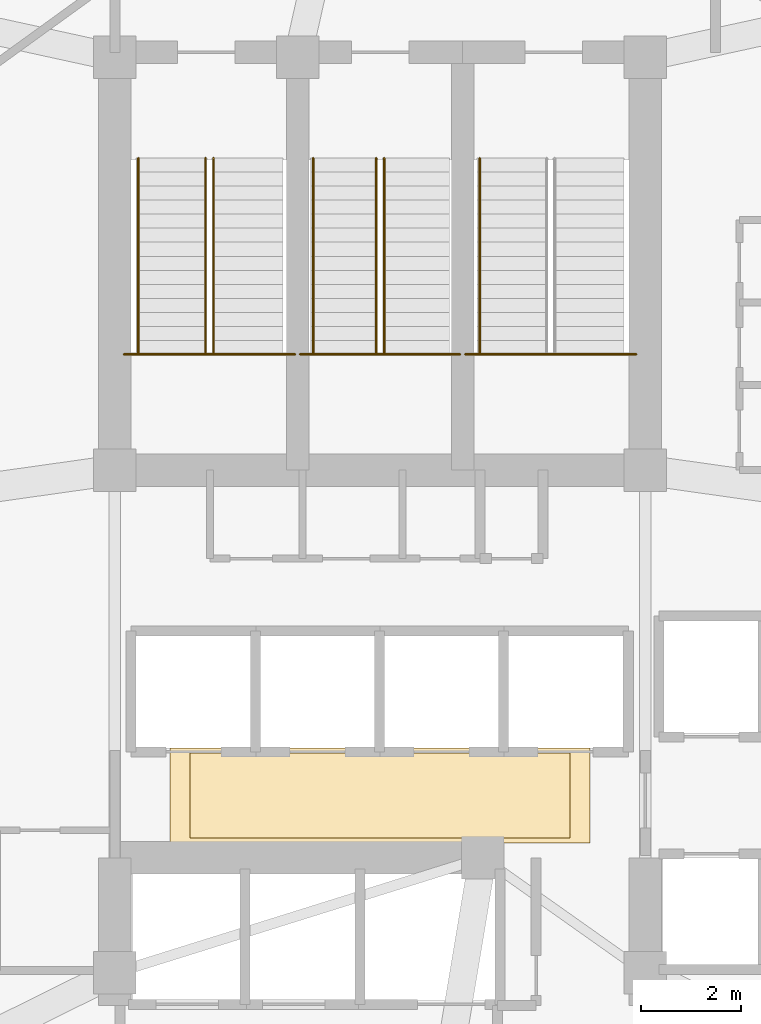
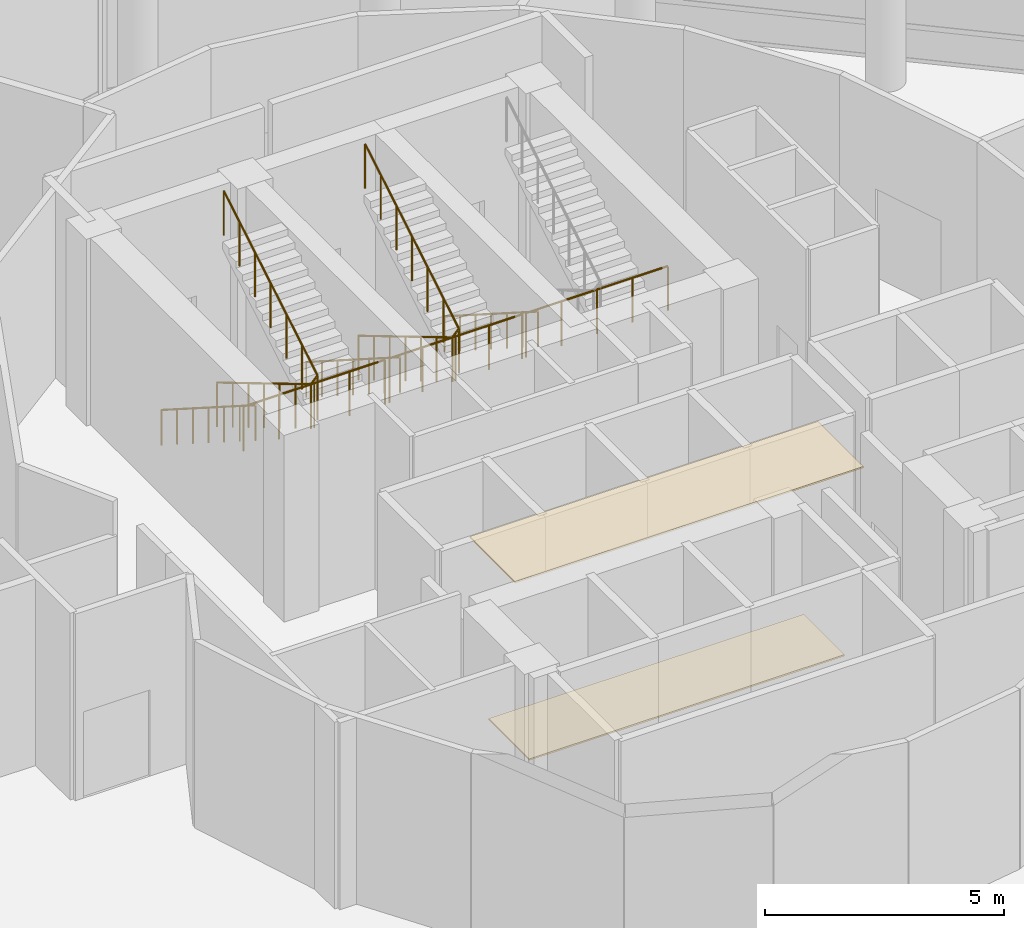
# One storey, part 30 of 31: 8 railings, 2 coverings.
"""IFC4 building model written with IfcOpenShell, lengths in metres."""

from ifc_helpers import new_model, si_unit, direction, frame, origin, place, context, subcontext, project, spatial, polyline, outline, extrude, material, layer, layer_set, type_object, element, save


model = new_model("IFC4")

# Units and contexts
model_context = context("Model", 3, precision=1e-05, world=origin(), true_north=direction((0.0, 1.0)))
body_context = subcontext(model_context, "Body", "Model", "MODEL_VIEW")
ifc_project = project(units=[si_unit("LENGTHUNIT", "METRE"), si_unit("AREAUNIT", "SQUARE_METRE"), si_unit("VOLUMEUNIT", "CUBIC_METRE"), si_unit("PLANEANGLEUNIT", "RADIAN"), si_unit("MASSUNIT", "GRAM", prefix="KILO")], contexts=[model_context])

# Site, building, storey
site_placement = place(None, origin())
site = spatial("IfcSite", under=ifc_project, at=site_placement, CompositionType="ELEMENT")
building_placement = place(site_placement, origin())
building = spatial("IfcBuilding", under=site, at=building_placement, Name="Nuhasar Tower", CompositionType="ELEMENT")
storey_placement = place(building_placement, frame((0.0, 0.0, 203.14990234375)))
storey = spatial("IfcBuildingStorey", under=building, at=storey_placement, Name="L49", CompositionType="ELEMENT", Elevation=203.14990234375)

# Coverings
ifc_material_1 = material(Name="Mineral Fibre Acoustic", Category="insulation")
ifc_layer_1 = layer(ifc_material_1, 0.0400390625)
ifc_layer_set_1 = layer_set([ifc_layer_1], Name="Mineral Fibre Acoustic")
covering_type_1 = type_object("IfcCoveringType", Name="COV-CEIL-AC60", PredefinedType="CEILING", material=ifc_layer_set_1)
covering_1_placement = place(storey_placement, frame((0.0, 0.0, 4.72021484375)))
element("IfcCovering", 1, at=covering_1_placement, inside=storey, type_object=covering_type_1, Name="L49 Lift Lobby Acoustic Ceiling", PredefinedType="CEILING", context=body_context, shape_type="SweptSolid", body=[
    extrude(outline(polyline([(34.800048828125, 21.60009765625), (43.199951171875, 21.60009765625), (43.199951171875, 23.5), (34.800048828125, 23.5), (34.800048828125, 21.60009765625)])), origin(), (0.0, 0.0, 1.0), 0.039794921875),
])
ifc_material_2 = material(Name="Granite Stone Tile", Category="masonry")
ifc_layer_2 = layer(ifc_material_2, 0.0400390625)
ifc_layer_set_2 = layer_set([ifc_layer_2], Name="Granite Stone Tile")
covering_type_2 = type_object("IfcCoveringType", Name="COV-FLR-STN40", PredefinedType="FLOORING", material=ifc_layer_set_2)
covering_2_placement = place(storey_placement, origin())
element("IfcCovering", 2, at=covering_2_placement, inside=storey, type_object=covering_type_2, Name="L49 Granite Lobby Flooring", PredefinedType="FLOORING", context=body_context, shape_type="SweptSolid", body=[
    extrude(outline(polyline([(35.199951171875, 21.699951171875), (42.800048828125, 21.699951171875), (42.800048828125, 23.39990234375), (35.199951171875, 23.39990234375), (35.199951171875, 21.699951171875)])), origin(), (0.0, 0.0, 1.0), 0.0400390625),
])

# Railings
ifc_material_3 = material(Name="Steel S355", Category="steel")
railing_type_1 = type_object("IfcRailingType", Name="RLG-STAIR-GUARD-1150", PredefinedType="GUARDRAIL", material=ifc_material_3)
railing_1_placement = place(storey_placement, frame((33.8798828125, 31.364990234375, 2.5)))
element("IfcRailing", 3, at=railing_1_placement, inside=storey, type_object=railing_type_1, Name="L49 Stair ST-01 Guardrail LND", PredefinedType="GUARDRAIL", context=body_context, shape_type="SweptSolid", body=[
    extrude(outline(polyline([(0.024169921875, 0.0), (0.01708984375, 0.01708984375), (0.0, 0.024169921875), (-0.01708984375, 0.01708984375), (-0.024169921875, 0.0), (-0.01708984375, -0.01708984375), (0.0, -0.024169921875), (0.01708984375, -0.01708984375), (0.024169921875, 0.0)])), frame((0.0, 0.0, 1.1259765625), z_axis=(1.0, 0.0, 0.0), x_axis=(0.0, 1.0, 0.0)), (0.0, 0.0, 1.0), 3.420166015625),
    extrude(outline(polyline([(0.02099609375, 0.0), (0.014892578125, 0.014892578125), (0.0, 0.02099609375), (-0.014892578125, 0.014892578125), (-0.02099609375, 0.0), (-0.014892578125, -0.014892578125), (0.0, -0.02099609375), (0.014892578125, -0.014892578125), (0.02099609375, 0.0)])), origin(), (0.0, 0.0, 1.0), 1.101806640625),
    extrude(outline(polyline([(0.02099609375, 0.0), (0.014892578125, 0.014892578125), (0.0, 0.02099609375), (-0.014892578125, 0.014892578125), (-0.02099609375, 0.0), (-0.014892578125, -0.014892578125), (0.0, -0.02099609375), (0.014892578125, -0.014892578125), (0.02099609375, 0.0)])), frame((0.85498046875, 0.0, 0.0)), (0.0, 0.0, 1.0), 1.101806640625),
    extrude(outline(polyline([(0.02099609375, 0.0), (0.014892578125, 0.014892578125), (0.0, 0.02099609375), (-0.014892578125, 0.014892578125), (-0.02099609375, 0.0), (-0.014892578125, -0.014892578125), (0.0, -0.02099609375), (0.014892578125, -0.014892578125), (0.02099609375, 0.0)])), frame((1.7099609375, 0.0, 0.0)), (0.0, 0.0, 1.0), 1.101806640625),
    extrude(outline(polyline([(0.02099609375, 0.0), (0.014892578125, 0.014892578125), (0.0, 0.02099609375), (-0.014892578125, 0.014892578125), (-0.02099609375, 0.0), (-0.014892578125, -0.014892578125), (0.0, -0.02099609375), (0.014892578125, -0.014892578125), (0.02099609375, 0.0)])), frame((2.565185546875, 0.0, 0.0)), (0.0, 0.0, 1.0), 1.101806640625),
    extrude(outline(polyline([(0.02099609375, 0.0), (0.014892578125, 0.014892578125), (0.0, 0.02099609375), (-0.014892578125, 0.014892578125), (-0.02099609375, 0.0), (-0.014892578125, -0.014892578125), (0.0, -0.02099609375), (0.014892578125, -0.014892578125), (0.02099609375, 0.0)])), frame((3.420166015625, 0.0, 0.0)), (0.0, 0.0, 1.0), 1.101806640625),
])
railing_2_placement = place(storey_placement, frame((35.510009765625, 35.284912109375, 0.1669921875)))
element("IfcRailing", 4, at=railing_2_placement, inside=storey, type_object=railing_type_1, Name="L49 Stair ST-01 Guardrail SLT", PredefinedType="GUARDRAIL", context=body_context, shape_type="SweptSolid", body=[
    extrude(outline(polyline([(0.024169921875, 0.0), (0.01708984375, 0.01708984375), (0.0, 0.024169921875), (-0.01708984375, 0.01708984375), (-0.024169921875, 0.0), (-0.01708984375, -0.01708984375), (0.0, -0.024169921875), (0.01708984375, -0.01708984375), (0.024169921875, 0.0)])), frame((0.0, 0.0, 1.1259765625), z_axis=(0.0, -0.85931976652, 0.511438695121), x_axis=(1.0, 0.0, 0.0)), (0.0, 0.0, 1.0), 4.561767578125),
    extrude(outline(polyline([(0.024169921875, 0.0), (0.01708984375, 0.01708984375), (0.0, 0.024169921875), (-0.01708984375, 0.01708984375), (-0.024169921875, 0.0), (-0.01708984375, -0.01708984375), (0.0, -0.024169921875), (0.01708984375, -0.01708984375), (0.024169921875, 0.0)])), frame((0.0, -3.919921875, 3.458984375), z_axis=(0.691630103864, 0.0, 0.722251894722), x_axis=(0.0, 1.0, 0.0)), (0.0, 0.0, 1.0), 0.231201171875),
    extrude(outline(polyline([(0.024169921875, 0.0), (0.01708984375, 0.01708984375), (0.0, 0.024169921875), (-0.01708984375, 0.01708984375), (-0.024169921875, 0.0), (-0.01708984375, -0.01708984375), (0.0, -0.024169921875), (0.01708984375, -0.01708984375), (0.024169921875, 0.0)])), frame((0.159912109375, -3.919921875, 3.6259765625), z_axis=(0.0, 0.85931976652, 0.511438695121), x_axis=(-1.0, 0.0, 0.0)), (0.0, 0.0, 1.0), 4.561767578125),
    extrude(outline(polyline([(0.02099609375, 0.0), (0.014892578125, 0.014892578125), (0.0, 0.02099609375), (-0.014892578125, 0.014892578125), (-0.02099609375, 0.0), (-0.014892578125, -0.014892578125), (0.0, -0.02099609375), (0.014892578125, -0.014892578125), (0.02099609375, 0.0)])), origin(), (0.0, 0.0, 1.0), 1.101806640625),
    extrude(outline(polyline([(0.02099609375, 0.0), (0.014892578125, 0.014892578125), (0.0, 0.02099609375), (-0.014892578125, 0.014892578125), (-0.02099609375, 0.0), (-0.014892578125, -0.014892578125), (0.0, -0.02099609375), (0.014892578125, -0.014892578125), (0.02099609375, 0.0)])), frame((0.0, -0.6533203125, 0.388916015625)), (0.0, 0.0, 1.0), 1.101806640625),
    extrude(outline(polyline([(0.02099609375, 0.0), (0.014892578125, 0.014892578125), (0.0, 0.02099609375), (-0.014892578125, 0.014892578125), (-0.02099609375, 0.0), (-0.014892578125, -0.014892578125), (0.0, -0.02099609375), (0.014892578125, -0.014892578125), (0.02099609375, 0.0)])), frame((0.0, -1.306640625, 0.777587890625)), (0.0, 0.0, 1.0), 1.101806640625),
    extrude(outline(polyline([(0.02099609375, 0.0), (0.014892578125, 0.014892578125), (0.0, 0.02099609375), (-0.014892578125, 0.014892578125), (-0.02099609375, 0.0), (-0.014892578125, -0.014892578125), (0.0, -0.02099609375), (0.014892578125, -0.014892578125), (0.02099609375, 0.0)])), frame((0.0, -1.9599609375, 1.16650390625)), (0.0, 0.0, 1.0), 1.101806640625),
    extrude(outline(polyline([(0.02099609375, 0.0), (0.014892578125, 0.014892578125), (0.0, 0.02099609375), (-0.014892578125, 0.014892578125), (-0.02099609375, 0.0), (-0.014892578125, -0.014892578125), (0.0, -0.02099609375), (0.014892578125, -0.014892578125), (0.02099609375, 0.0)])), frame((0.0, -2.61328125, 1.555419921875)), (0.0, 0.0, 1.0), 1.101806640625),
    extrude(outline(polyline([(0.02099609375, 0.0), (0.014892578125, 0.014892578125), (0.0, 0.02099609375), (-0.014892578125, 0.014892578125), (-0.02099609375, 0.0), (-0.014892578125, -0.014892578125), (0.0, -0.02099609375), (0.014892578125, -0.014892578125), (0.02099609375, 0.0)])), frame((0.0, -3.2666015625, 1.944091796875)), (0.0, 0.0, 1.0), 1.101806640625),
    extrude(outline(polyline([(0.02099609375, 0.0), (0.014892578125, 0.014892578125), (0.0, 0.02099609375), (-0.014892578125, 0.014892578125), (-0.02099609375, 0.0), (-0.014892578125, -0.014892578125), (0.0, -0.02099609375), (0.014892578125, -0.014892578125), (0.02099609375, 0.0)])), frame((0.0, -3.919921875, 2.3330078125)), (0.0, 0.0, 1.0), 1.101806640625),
    extrude(outline(polyline([(0.02099609375, 0.0), (0.014892578125, 0.014892578125), (0.0, 0.02099609375), (-0.014892578125, 0.014892578125), (-0.02099609375, 0.0), (-0.014892578125, -0.014892578125), (0.0, -0.02099609375), (0.014892578125, -0.014892578125), (0.02099609375, 0.0)])), frame((0.159912109375, -3.919921875, 2.5)), (0.0, 0.0, 1.0), 1.101806640625),
    extrude(outline(polyline([(0.02099609375, 0.0), (0.014892578125, 0.014892578125), (0.0, 0.02099609375), (-0.014892578125, 0.014892578125), (-0.02099609375, 0.0), (-0.014892578125, -0.014892578125), (0.0, -0.02099609375), (0.014892578125, -0.014892578125), (0.02099609375, 0.0)])), frame((0.159912109375, -3.2666015625, 2.888916015625)), (0.0, 0.0, 1.0), 1.101806640625),
    extrude(outline(polyline([(0.02099609375, 0.0), (0.014892578125, 0.014892578125), (0.0, 0.02099609375), (-0.014892578125, 0.014892578125), (-0.02099609375, 0.0), (-0.014892578125, -0.014892578125), (0.0, -0.02099609375), (0.014892578125, -0.014892578125), (0.02099609375, 0.0)])), frame((0.159912109375, -2.61328125, 3.277587890625)), (0.0, 0.0, 1.0), 1.101806640625),
    extrude(outline(polyline([(0.02099609375, 0.0), (0.014892578125, 0.014892578125), (0.0, 0.02099609375), (-0.014892578125, 0.014892578125), (-0.02099609375, 0.0), (-0.014892578125, -0.014892578125), (0.0, -0.02099609375), (0.014892578125, -0.014892578125), (0.02099609375, 0.0)])), frame((0.159912109375, -1.9599609375, 3.66650390625)), (0.0, 0.0, 1.0), 1.101806640625),
    extrude(outline(polyline([(0.02099609375, 0.0), (0.014892578125, 0.014892578125), (0.0, 0.02099609375), (-0.014892578125, 0.014892578125), (-0.02099609375, 0.0), (-0.014892578125, -0.014892578125), (0.0, -0.02099609375), (0.014892578125, -0.014892578125), (0.02099609375, 0.0)])), frame((0.159912109375, -1.306640625, 4.055419921875)), (0.0, 0.0, 1.0), 1.101806640625),
    extrude(outline(polyline([(0.02099609375, 0.0), (0.014892578125, 0.014892578125), (0.0, 0.02099609375), (-0.014892578125, 0.014892578125), (-0.02099609375, 0.0), (-0.014892578125, -0.014892578125), (0.0, -0.02099609375), (0.014892578125, -0.014892578125), (0.02099609375, 0.0)])), frame((0.159912109375, -0.6533203125, 4.444091796875)), (0.0, 0.0, 1.0), 1.101806640625),
    extrude(outline(polyline([(0.02099609375, 0.0), (0.014892578125, 0.014892578125), (0.0, 0.02099609375), (-0.014892578125, 0.014892578125), (-0.02099609375, 0.0), (-0.014892578125, -0.014892578125), (0.0, -0.02099609375), (0.014892578125, -0.014892578125), (0.02099609375, 0.0)])), frame((0.159912109375, 0.0, 4.8330078125)), (0.0, 0.0, 1.0), 1.101806640625),
])
railing_3_placement = place(storey_placement, frame((37.39990234375, 31.364990234375, 2.5)))
element("IfcRailing", 5, at=railing_3_placement, inside=storey, type_object=railing_type_1, Name="L49 Stair ST-03 Guardrail LND", PredefinedType="GUARDRAIL", context=body_context, shape_type="SweptSolid", body=[
    extrude(outline(polyline([(0.024169921875, 0.0), (0.01708984375, 0.01708984375), (0.0, 0.024169921875), (-0.01708984375, 0.01708984375), (-0.024169921875, 0.0), (-0.01708984375, -0.01708984375), (0.0, -0.024169921875), (0.01708984375, -0.01708984375), (0.024169921875, 0.0)])), frame((0.0, 0.0, 1.1259765625), z_axis=(1.0, 0.0, 0.0), x_axis=(0.0, 1.0, 0.0)), (0.0, 0.0, 1.0), 3.2001953125),
    extrude(outline(polyline([(0.02099609375, 0.0), (0.014892578125, 0.014892578125), (0.0, 0.02099609375), (-0.014892578125, 0.014892578125), (-0.02099609375, 0.0), (-0.014892578125, -0.014892578125), (0.0, -0.02099609375), (0.014892578125, -0.014892578125), (0.02099609375, 0.0)])), origin(), (0.0, 0.0, 1.0), 1.101806640625),
    extrude(outline(polyline([(0.02099609375, 0.0), (0.014892578125, 0.014892578125), (0.0, 0.02099609375), (-0.014892578125, 0.014892578125), (-0.02099609375, 0.0), (-0.014892578125, -0.014892578125), (0.0, -0.02099609375), (0.014892578125, -0.014892578125), (0.02099609375, 0.0)])), frame((0.800048828125, 0.0, 0.0)), (0.0, 0.0, 1.0), 1.101806640625),
    extrude(outline(polyline([(0.02099609375, 0.0), (0.014892578125, 0.014892578125), (0.0, 0.02099609375), (-0.014892578125, 0.014892578125), (-0.02099609375, 0.0), (-0.014892578125, -0.014892578125), (0.0, -0.02099609375), (0.014892578125, -0.014892578125), (0.02099609375, 0.0)])), frame((1.60009765625, 0.0, 0.0)), (0.0, 0.0, 1.0), 1.101806640625),
    extrude(outline(polyline([(0.02099609375, 0.0), (0.014892578125, 0.014892578125), (0.0, 0.02099609375), (-0.014892578125, 0.014892578125), (-0.02099609375, 0.0), (-0.014892578125, -0.014892578125), (0.0, -0.02099609375), (0.014892578125, -0.014892578125), (0.02099609375, 0.0)])), frame((2.400146484375, 0.0, 0.0)), (0.0, 0.0, 1.0), 1.101806640625),
    extrude(outline(polyline([(0.02099609375, 0.0), (0.014892578125, 0.014892578125), (0.0, 0.02099609375), (-0.014892578125, 0.014892578125), (-0.02099609375, 0.0), (-0.014892578125, -0.014892578125), (0.0, -0.02099609375), (0.014892578125, -0.014892578125), (0.02099609375, 0.0)])), frame((3.2001953125, 0.0, 0.0)), (0.0, 0.0, 1.0), 1.101806640625),
])
railing_4_placement = place(storey_placement, frame((38.919921875, 35.284912109375, 0.1669921875)))
element("IfcRailing", 6, at=railing_4_placement, inside=storey, type_object=railing_type_1, Name="L49 Stair ST-03 Guardrail SLT", PredefinedType="GUARDRAIL", context=body_context, shape_type="SweptSolid", body=[
    extrude(outline(polyline([(0.024169921875, 0.0), (0.01708984375, 0.01708984375), (0.0, 0.024169921875), (-0.01708984375, 0.01708984375), (-0.024169921875, 0.0), (-0.01708984375, -0.01708984375), (0.0, -0.024169921875), (0.01708984375, -0.01708984375), (0.024169921875, 0.0)])), frame((0.0, 0.0, 1.1259765625), z_axis=(0.0, -0.85931976652, 0.511438695121), x_axis=(1.0, 0.0, 0.0)), (0.0, 0.0, 1.0), 4.561767578125),
    extrude(outline(polyline([(0.024169921875, 0.0), (0.01708984375, 0.01708984375), (0.0, 0.024169921875), (-0.01708984375, 0.01708984375), (-0.024169921875, 0.0), (-0.01708984375, -0.01708984375), (0.0, -0.024169921875), (0.01708984375, -0.01708984375), (0.024169921875, 0.0)])), frame((0.0, -3.919921875, 3.458984375), z_axis=(0.692180321226, 0.0, 0.72172460323), x_axis=(0.0, 1.0, 0.0)), (0.0, 0.0, 1.0), 0.2314453125),
    extrude(outline(polyline([(0.024169921875, 0.0), (0.01708984375, 0.01708984375), (0.0, 0.024169921875), (-0.01708984375, 0.01708984375), (-0.024169921875, 0.0), (-0.01708984375, -0.01708984375), (0.0, -0.024169921875), (0.01708984375, -0.01708984375), (0.024169921875, 0.0)])), frame((0.16015625, -3.919921875, 3.6259765625), z_axis=(0.0, 0.85931976652, 0.511438695121), x_axis=(-1.0, 0.0, 0.0)), (0.0, 0.0, 1.0), 4.561767578125),
    extrude(outline(polyline([(0.02099609375, 0.0), (0.014892578125, 0.014892578125), (0.0, 0.02099609375), (-0.014892578125, 0.014892578125), (-0.02099609375, 0.0), (-0.014892578125, -0.014892578125), (0.0, -0.02099609375), (0.014892578125, -0.014892578125), (0.02099609375, 0.0)])), origin(), (0.0, 0.0, 1.0), 1.101806640625),
    extrude(outline(polyline([(0.02099609375, 0.0), (0.014892578125, 0.014892578125), (0.0, 0.02099609375), (-0.014892578125, 0.014892578125), (-0.02099609375, 0.0), (-0.014892578125, -0.014892578125), (0.0, -0.02099609375), (0.014892578125, -0.014892578125), (0.02099609375, 0.0)])), frame((0.0, -0.6533203125, 0.388916015625)), (0.0, 0.0, 1.0), 1.101806640625),
    extrude(outline(polyline([(0.02099609375, 0.0), (0.014892578125, 0.014892578125), (0.0, 0.02099609375), (-0.014892578125, 0.014892578125), (-0.02099609375, 0.0), (-0.014892578125, -0.014892578125), (0.0, -0.02099609375), (0.014892578125, -0.014892578125), (0.02099609375, 0.0)])), frame((0.0, -1.306640625, 0.777587890625)), (0.0, 0.0, 1.0), 1.101806640625),
    extrude(outline(polyline([(0.02099609375, 0.0), (0.014892578125, 0.014892578125), (0.0, 0.02099609375), (-0.014892578125, 0.014892578125), (-0.02099609375, 0.0), (-0.014892578125, -0.014892578125), (0.0, -0.02099609375), (0.014892578125, -0.014892578125), (0.02099609375, 0.0)])), frame((0.0, -1.9599609375, 1.16650390625)), (0.0, 0.0, 1.0), 1.101806640625),
    extrude(outline(polyline([(0.02099609375, 0.0), (0.014892578125, 0.014892578125), (0.0, 0.02099609375), (-0.014892578125, 0.014892578125), (-0.02099609375, 0.0), (-0.014892578125, -0.014892578125), (0.0, -0.02099609375), (0.014892578125, -0.014892578125), (0.02099609375, 0.0)])), frame((0.0, -2.61328125, 1.555419921875)), (0.0, 0.0, 1.0), 1.101806640625),
    extrude(outline(polyline([(0.02099609375, 0.0), (0.014892578125, 0.014892578125), (0.0, 0.02099609375), (-0.014892578125, 0.014892578125), (-0.02099609375, 0.0), (-0.014892578125, -0.014892578125), (0.0, -0.02099609375), (0.014892578125, -0.014892578125), (0.02099609375, 0.0)])), frame((0.0, -3.2666015625, 1.944091796875)), (0.0, 0.0, 1.0), 1.101806640625),
    extrude(outline(polyline([(0.02099609375, 0.0), (0.014892578125, 0.014892578125), (0.0, 0.02099609375), (-0.014892578125, 0.014892578125), (-0.02099609375, 0.0), (-0.014892578125, -0.014892578125), (0.0, -0.02099609375), (0.014892578125, -0.014892578125), (0.02099609375, 0.0)])), frame((0.0, -3.919921875, 2.3330078125)), (0.0, 0.0, 1.0), 1.101806640625),
    extrude(outline(polyline([(0.02099609375, 0.0), (0.014892578125, 0.014892578125), (0.0, 0.02099609375), (-0.014892578125, 0.014892578125), (-0.02099609375, 0.0), (-0.014892578125, -0.014892578125), (0.0, -0.02099609375), (0.014892578125, -0.014892578125), (0.02099609375, 0.0)])), frame((0.16015625, -3.919921875, 2.5)), (0.0, 0.0, 1.0), 1.101806640625),
    extrude(outline(polyline([(0.02099609375, 0.0), (0.014892578125, 0.014892578125), (0.0, 0.02099609375), (-0.014892578125, 0.014892578125), (-0.02099609375, 0.0), (-0.014892578125, -0.014892578125), (0.0, -0.02099609375), (0.014892578125, -0.014892578125), (0.02099609375, 0.0)])), frame((0.16015625, -3.2666015625, 2.888916015625)), (0.0, 0.0, 1.0), 1.101806640625),
    extrude(outline(polyline([(0.02099609375, 0.0), (0.014892578125, 0.014892578125), (0.0, 0.02099609375), (-0.014892578125, 0.014892578125), (-0.02099609375, 0.0), (-0.014892578125, -0.014892578125), (0.0, -0.02099609375), (0.014892578125, -0.014892578125), (0.02099609375, 0.0)])), frame((0.16015625, -2.61328125, 3.277587890625)), (0.0, 0.0, 1.0), 1.101806640625),
    extrude(outline(polyline([(0.02099609375, 0.0), (0.014892578125, 0.014892578125), (0.0, 0.02099609375), (-0.014892578125, 0.014892578125), (-0.02099609375, 0.0), (-0.014892578125, -0.014892578125), (0.0, -0.02099609375), (0.014892578125, -0.014892578125), (0.02099609375, 0.0)])), frame((0.16015625, -1.9599609375, 3.66650390625)), (0.0, 0.0, 1.0), 1.101806640625),
    extrude(outline(polyline([(0.02099609375, 0.0), (0.014892578125, 0.014892578125), (0.0, 0.02099609375), (-0.014892578125, 0.014892578125), (-0.02099609375, 0.0), (-0.014892578125, -0.014892578125), (0.0, -0.02099609375), (0.014892578125, -0.014892578125), (0.02099609375, 0.0)])), frame((0.16015625, -1.306640625, 4.055419921875)), (0.0, 0.0, 1.0), 1.101806640625),
    extrude(outline(polyline([(0.02099609375, 0.0), (0.014892578125, 0.014892578125), (0.0, 0.02099609375), (-0.014892578125, 0.014892578125), (-0.02099609375, 0.0), (-0.014892578125, -0.014892578125), (0.0, -0.02099609375), (0.014892578125, -0.014892578125), (0.02099609375, 0.0)])), frame((0.16015625, -0.6533203125, 4.444091796875)), (0.0, 0.0, 1.0), 1.101806640625),
    extrude(outline(polyline([(0.02099609375, 0.0), (0.014892578125, 0.014892578125), (0.0, 0.02099609375), (-0.014892578125, 0.014892578125), (-0.02099609375, 0.0), (-0.014892578125, -0.014892578125), (0.0, -0.02099609375), (0.014892578125, -0.014892578125), (0.02099609375, 0.0)])), frame((0.16015625, 0.0, 4.8330078125)), (0.0, 0.0, 1.0), 1.101806640625),
])
railing_5_placement = place(storey_placement, frame((40.699951171875, 31.364990234375, 2.5)))
element("IfcRailing", 7, at=railing_5_placement, inside=storey, type_object=railing_type_1, Name="L49 Stair ST-02 Guardrail LND", PredefinedType="GUARDRAIL", context=body_context, shape_type="SweptSolid", body=[
    extrude(outline(polyline([(0.024169921875, 0.0), (0.01708984375, 0.01708984375), (0.0, 0.024169921875), (-0.01708984375, 0.01708984375), (-0.024169921875, 0.0), (-0.01708984375, -0.01708984375), (0.0, -0.024169921875), (0.01708984375, -0.01708984375), (0.024169921875, 0.0)])), frame((0.0, 0.0, 1.1259765625), z_axis=(1.0, 0.0, 0.0), x_axis=(0.0, 1.0, 0.0)), (0.0, 0.0, 1.0), 3.420166015625),
    extrude(outline(polyline([(0.02099609375, 0.0), (0.014892578125, 0.014892578125), (0.0, 0.02099609375), (-0.014892578125, 0.014892578125), (-0.02099609375, 0.0), (-0.014892578125, -0.014892578125), (0.0, -0.02099609375), (0.014892578125, -0.014892578125), (0.02099609375, 0.0)])), origin(), (0.0, 0.0, 1.0), 1.101806640625),
    extrude(outline(polyline([(0.02099609375, 0.0), (0.014892578125, 0.014892578125), (0.0, 0.02099609375), (-0.014892578125, 0.014892578125), (-0.02099609375, 0.0), (-0.014892578125, -0.014892578125), (0.0, -0.02099609375), (0.014892578125, -0.014892578125), (0.02099609375, 0.0)])), frame((0.85498046875, 0.0, 0.0)), (0.0, 0.0, 1.0), 1.101806640625),
    extrude(outline(polyline([(0.02099609375, 0.0), (0.014892578125, 0.014892578125), (0.0, 0.02099609375), (-0.014892578125, 0.014892578125), (-0.02099609375, 0.0), (-0.014892578125, -0.014892578125), (0.0, -0.02099609375), (0.014892578125, -0.014892578125), (0.02099609375, 0.0)])), frame((1.7099609375, 0.0, 0.0)), (0.0, 0.0, 1.0), 1.101806640625),
    extrude(outline(polyline([(0.02099609375, 0.0), (0.014892578125, 0.014892578125), (0.0, 0.02099609375), (-0.014892578125, 0.014892578125), (-0.02099609375, 0.0), (-0.014892578125, -0.014892578125), (0.0, -0.02099609375), (0.014892578125, -0.014892578125), (0.02099609375, 0.0)])), frame((2.565185546875, 0.0, 0.0)), (0.0, 0.0, 1.0), 1.101806640625),
    extrude(outline(polyline([(0.02099609375, 0.0), (0.014892578125, 0.014892578125), (0.0, 0.02099609375), (-0.014892578125, 0.014892578125), (-0.02099609375, 0.0), (-0.014892578125, -0.014892578125), (0.0, -0.02099609375), (0.014892578125, -0.014892578125), (0.02099609375, 0.0)])), frame((3.420166015625, 0.0, 0.0)), (0.0, 0.0, 1.0), 1.101806640625),
])
ifc_material_4 = material(Name="Stainless Steel 316L", Category="steel")
railing_type_2 = type_object("IfcRailingType", Name="RLG-STAIR-HAND-920", PredefinedType="HANDRAIL", material=ifc_material_4)
railing_6_placement = place(storey_placement, frame((34.169921875, 35.284912109375, 0.1669921875)))
element("IfcRailing", 8, at=railing_6_placement, inside=storey, type_object=railing_type_2, Name="L49 Stair ST-01 Handrail HND1", PredefinedType="HANDRAIL", context=body_context, shape_type="SweptSolid", body=[
    extrude(outline(polyline([(0.024169921875, 0.0), (0.01708984375, 0.01708984375), (0.0, 0.024169921875), (-0.01708984375, 0.01708984375), (-0.024169921875, 0.0), (-0.01708984375, -0.01708984375), (0.0, -0.024169921875), (0.01708984375, -0.01708984375), (0.024169921875, 0.0)])), frame((0.0, 0.0, 0.89599609375), z_axis=(0.0, -0.843124831705, 0.537717879712), x_axis=(1.0, 0.0, 0.0)), (0.0, 0.0, 1.0), 4.649169921875),
    extrude(outline(polyline([(0.02099609375, 0.0), (0.014892578125, 0.014892578125), (0.0, 0.02099609375), (-0.014892578125, 0.014892578125), (-0.02099609375, 0.0), (-0.014892578125, -0.014892578125), (0.0, -0.02099609375), (0.014892578125, -0.014892578125), (0.02099609375, 0.0)])), origin(), (0.0, 0.0, 1.0), 0.871826171875),
    extrude(outline(polyline([(0.02099609375, 0.0), (0.014892578125, 0.014892578125), (0.0, 0.02099609375), (-0.014892578125, 0.014892578125), (-0.02099609375, 0.0), (-0.014892578125, -0.014892578125), (0.0, -0.02099609375), (0.014892578125, -0.014892578125), (0.02099609375, 0.0)])), frame((0.0, -0.6533203125, 0.416748046875)), (0.0, 0.0, 1.0), 0.871826171875),
    extrude(outline(polyline([(0.02099609375, 0.0), (0.014892578125, 0.014892578125), (0.0, 0.02099609375), (-0.014892578125, 0.014892578125), (-0.02099609375, 0.0), (-0.014892578125, -0.014892578125), (0.0, -0.02099609375), (0.014892578125, -0.014892578125), (0.02099609375, 0.0)])), frame((0.0, -1.306640625, 0.833251953125)), (0.0, 0.0, 1.0), 0.871826171875),
    extrude(outline(polyline([(0.02099609375, 0.0), (0.014892578125, 0.014892578125), (0.0, 0.02099609375), (-0.014892578125, 0.014892578125), (-0.02099609375, 0.0), (-0.014892578125, -0.014892578125), (0.0, -0.02099609375), (0.014892578125, -0.014892578125), (0.02099609375, 0.0)])), frame((0.0, -1.9599609375, 1.25)), (0.0, 0.0, 1.0), 0.871826171875),
    extrude(outline(polyline([(0.02099609375, 0.0), (0.014892578125, 0.014892578125), (0.0, 0.02099609375), (-0.014892578125, 0.014892578125), (-0.02099609375, 0.0), (-0.014892578125, -0.014892578125), (0.0, -0.02099609375), (0.014892578125, -0.014892578125), (0.02099609375, 0.0)])), frame((0.0, -2.61328125, 1.666748046875)), (0.0, 0.0, 1.0), 0.871826171875),
    extrude(outline(polyline([(0.02099609375, 0.0), (0.014892578125, 0.014892578125), (0.0, 0.02099609375), (-0.014892578125, 0.014892578125), (-0.02099609375, 0.0), (-0.014892578125, -0.014892578125), (0.0, -0.02099609375), (0.014892578125, -0.014892578125), (0.02099609375, 0.0)])), frame((0.0, -3.2666015625, 2.083251953125)), (0.0, 0.0, 1.0), 0.871826171875),
    extrude(outline(polyline([(0.02099609375, 0.0), (0.014892578125, 0.014892578125), (0.0, 0.02099609375), (-0.014892578125, 0.014892578125), (-0.02099609375, 0.0), (-0.014892578125, -0.014892578125), (0.0, -0.02099609375), (0.014892578125, -0.014892578125), (0.02099609375, 0.0)])), frame((0.0, -3.919921875, 2.5)), (0.0, 0.0, 1.0), 0.871826171875),
])
railing_7_placement = place(storey_placement, frame((37.659912109375, 35.284912109375, 0.1669921875)))
element("IfcRailing", 9, at=railing_7_placement, inside=storey, type_object=railing_type_2, Name="L49 Stair ST-03 Handrail HND1", PredefinedType="HANDRAIL", context=body_context, shape_type="SweptSolid", body=[
    extrude(outline(polyline([(0.024169921875, 0.0), (0.01708984375, 0.01708984375), (0.0, 0.024169921875), (-0.01708984375, 0.01708984375), (-0.024169921875, 0.0), (-0.01708984375, -0.01708984375), (0.0, -0.024169921875), (0.01708984375, -0.01708984375), (0.024169921875, 0.0)])), frame((0.0, 0.0, 0.89599609375), z_axis=(0.0, -0.843124831705, 0.537717879712), x_axis=(1.0, 0.0, 0.0)), (0.0, 0.0, 1.0), 4.649169921875),
    extrude(outline(polyline([(0.02099609375, 0.0), (0.014892578125, 0.014892578125), (0.0, 0.02099609375), (-0.014892578125, 0.014892578125), (-0.02099609375, 0.0), (-0.014892578125, -0.014892578125), (0.0, -0.02099609375), (0.014892578125, -0.014892578125), (0.02099609375, 0.0)])), origin(), (0.0, 0.0, 1.0), 0.871826171875),
    extrude(outline(polyline([(0.02099609375, 0.0), (0.014892578125, 0.014892578125), (0.0, 0.02099609375), (-0.014892578125, 0.014892578125), (-0.02099609375, 0.0), (-0.014892578125, -0.014892578125), (0.0, -0.02099609375), (0.014892578125, -0.014892578125), (0.02099609375, 0.0)])), frame((0.0, -0.6533203125, 0.416748046875)), (0.0, 0.0, 1.0), 0.871826171875),
    extrude(outline(polyline([(0.02099609375, 0.0), (0.014892578125, 0.014892578125), (0.0, 0.02099609375), (-0.014892578125, 0.014892578125), (-0.02099609375, 0.0), (-0.014892578125, -0.014892578125), (0.0, -0.02099609375), (0.014892578125, -0.014892578125), (0.02099609375, 0.0)])), frame((0.0, -1.306640625, 0.833251953125)), (0.0, 0.0, 1.0), 0.871826171875),
    extrude(outline(polyline([(0.02099609375, 0.0), (0.014892578125, 0.014892578125), (0.0, 0.02099609375), (-0.014892578125, 0.014892578125), (-0.02099609375, 0.0), (-0.014892578125, -0.014892578125), (0.0, -0.02099609375), (0.014892578125, -0.014892578125), (0.02099609375, 0.0)])), frame((0.0, -1.9599609375, 1.25)), (0.0, 0.0, 1.0), 0.871826171875),
    extrude(outline(polyline([(0.02099609375, 0.0), (0.014892578125, 0.014892578125), (0.0, 0.02099609375), (-0.014892578125, 0.014892578125), (-0.02099609375, 0.0), (-0.014892578125, -0.014892578125), (0.0, -0.02099609375), (0.014892578125, -0.014892578125), (0.02099609375, 0.0)])), frame((0.0, -2.61328125, 1.666748046875)), (0.0, 0.0, 1.0), 0.871826171875),
    extrude(outline(polyline([(0.02099609375, 0.0), (0.014892578125, 0.014892578125), (0.0, 0.02099609375), (-0.014892578125, 0.014892578125), (-0.02099609375, 0.0), (-0.014892578125, -0.014892578125), (0.0, -0.02099609375), (0.014892578125, -0.014892578125), (0.02099609375, 0.0)])), frame((0.0, -3.2666015625, 2.083251953125)), (0.0, 0.0, 1.0), 0.871826171875),
    extrude(outline(polyline([(0.02099609375, 0.0), (0.014892578125, 0.014892578125), (0.0, 0.02099609375), (-0.014892578125, 0.014892578125), (-0.02099609375, 0.0), (-0.014892578125, -0.014892578125), (0.0, -0.02099609375), (0.014892578125, -0.014892578125), (0.02099609375, 0.0)])), frame((0.0, -3.919921875, 2.5)), (0.0, 0.0, 1.0), 0.871826171875),
])
railing_8_placement = place(storey_placement, frame((40.989990234375, 35.284912109375, 0.1669921875)))
element("IfcRailing", 10, at=railing_8_placement, inside=storey, type_object=railing_type_2, Name="L49 Stair ST-02 Handrail HND1", PredefinedType="HANDRAIL", context=body_context, shape_type="SweptSolid", body=[
    extrude(outline(polyline([(0.024169921875, 0.0), (0.01708984375, 0.01708984375), (0.0, 0.024169921875), (-0.01708984375, 0.01708984375), (-0.024169921875, 0.0), (-0.01708984375, -0.01708984375), (0.0, -0.024169921875), (0.01708984375, -0.01708984375), (0.024169921875, 0.0)])), frame((0.0, 0.0, 0.89599609375), z_axis=(0.0, -0.843124831705, 0.537717879712), x_axis=(1.0, 0.0, 0.0)), (0.0, 0.0, 1.0), 4.649169921875),
    extrude(outline(polyline([(0.02099609375, 0.0), (0.014892578125, 0.014892578125), (0.0, 0.02099609375), (-0.014892578125, 0.014892578125), (-0.02099609375, 0.0), (-0.014892578125, -0.014892578125), (0.0, -0.02099609375), (0.014892578125, -0.014892578125), (0.02099609375, 0.0)])), origin(), (0.0, 0.0, 1.0), 0.871826171875),
    extrude(outline(polyline([(0.02099609375, 0.0), (0.014892578125, 0.014892578125), (0.0, 0.02099609375), (-0.014892578125, 0.014892578125), (-0.02099609375, 0.0), (-0.014892578125, -0.014892578125), (0.0, -0.02099609375), (0.014892578125, -0.014892578125), (0.02099609375, 0.0)])), frame((0.0, -0.6533203125, 0.416748046875)), (0.0, 0.0, 1.0), 0.871826171875),
    extrude(outline(polyline([(0.02099609375, 0.0), (0.014892578125, 0.014892578125), (0.0, 0.02099609375), (-0.014892578125, 0.014892578125), (-0.02099609375, 0.0), (-0.014892578125, -0.014892578125), (0.0, -0.02099609375), (0.014892578125, -0.014892578125), (0.02099609375, 0.0)])), frame((0.0, -1.306640625, 0.833251953125)), (0.0, 0.0, 1.0), 0.871826171875),
    extrude(outline(polyline([(0.02099609375, 0.0), (0.014892578125, 0.014892578125), (0.0, 0.02099609375), (-0.014892578125, 0.014892578125), (-0.02099609375, 0.0), (-0.014892578125, -0.014892578125), (0.0, -0.02099609375), (0.014892578125, -0.014892578125), (0.02099609375, 0.0)])), frame((0.0, -1.9599609375, 1.25)), (0.0, 0.0, 1.0), 0.871826171875),
    extrude(outline(polyline([(0.02099609375, 0.0), (0.014892578125, 0.014892578125), (0.0, 0.02099609375), (-0.014892578125, 0.014892578125), (-0.02099609375, 0.0), (-0.014892578125, -0.014892578125), (0.0, -0.02099609375), (0.014892578125, -0.014892578125), (0.02099609375, 0.0)])), frame((0.0, -2.61328125, 1.666748046875)), (0.0, 0.0, 1.0), 0.871826171875),
    extrude(outline(polyline([(0.02099609375, 0.0), (0.014892578125, 0.014892578125), (0.0, 0.02099609375), (-0.014892578125, 0.014892578125), (-0.02099609375, 0.0), (-0.014892578125, -0.014892578125), (0.0, -0.02099609375), (0.014892578125, -0.014892578125), (0.02099609375, 0.0)])), frame((0.0, -3.2666015625, 2.083251953125)), (0.0, 0.0, 1.0), 0.871826171875),
    extrude(outline(polyline([(0.02099609375, 0.0), (0.014892578125, 0.014892578125), (0.0, 0.02099609375), (-0.014892578125, 0.014892578125), (-0.02099609375, 0.0), (-0.014892578125, -0.014892578125), (0.0, -0.02099609375), (0.014892578125, -0.014892578125), (0.02099609375, 0.0)])), frame((0.0, -3.919921875, 2.5)), (0.0, 0.0, 1.0), 0.871826171875),
])

save(model, "model.ifc")
